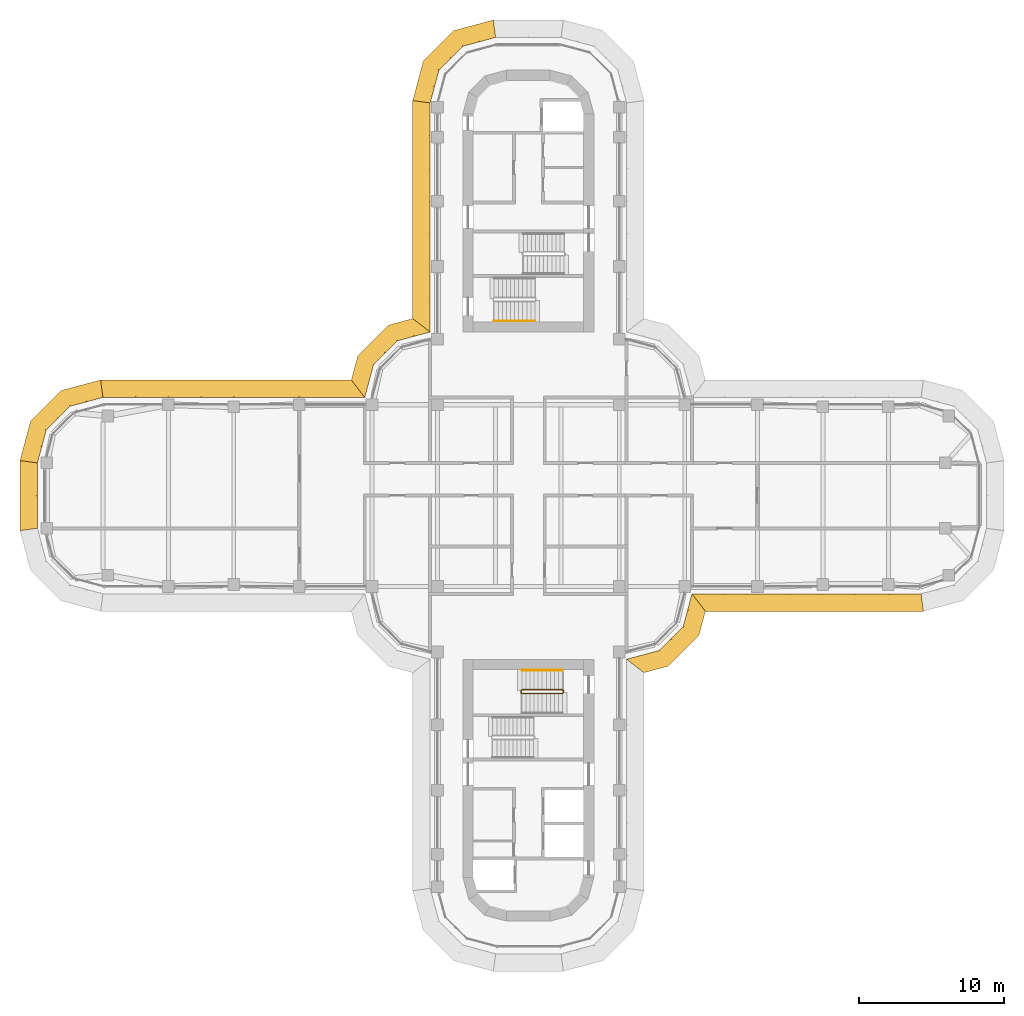
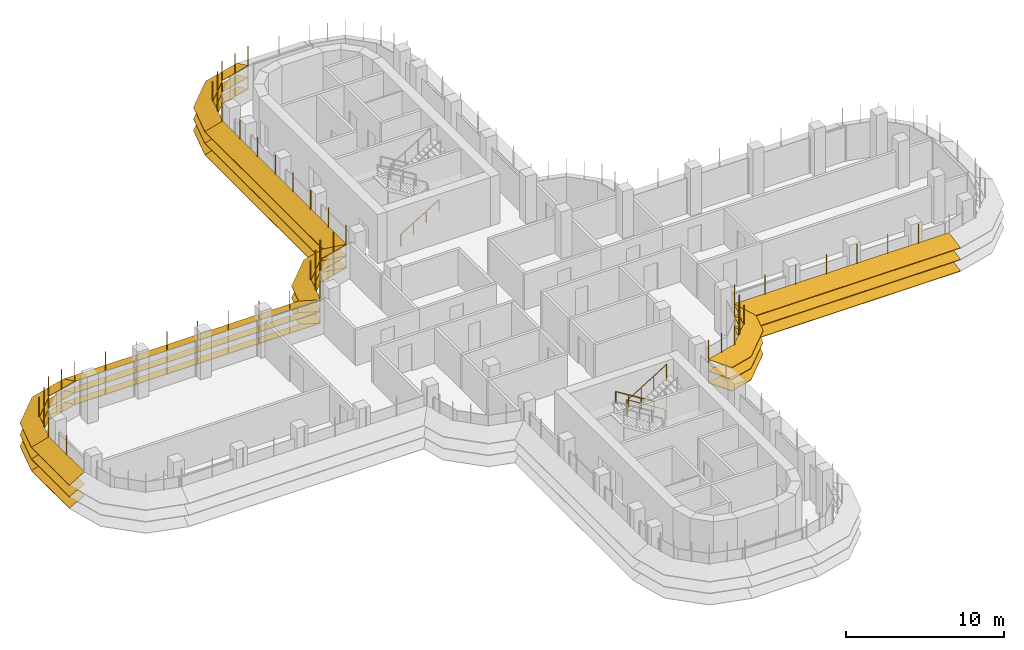
# One storey, part 17 of 19: 8 shading devices, 3 railings.
"""IFC4 building model written with IfcOpenShell, lengths in metres."""

from ifc_helpers import new_model, si_unit, direction, frame, origin, origin_2d, place, context, subcontext, project, spatial, polyline, circle, outline, extrude, faceted_brep, source, transform, mapped, material, type_object, element, save


model = new_model("IFC4")

# Units and contexts
model_context = context("Model", 3, precision=1e-05, world=origin(), true_north=direction((0.0, 1.0)))
body_context = subcontext(model_context, "Body", "Model", "MODEL_VIEW")
ifc_project = project(units=[si_unit("LENGTHUNIT", "METRE"), si_unit("AREAUNIT", "SQUARE_METRE"), si_unit("VOLUMEUNIT", "CUBIC_METRE"), si_unit("PLANEANGLEUNIT", "RADIAN"), si_unit("MASSUNIT", "GRAM", prefix="KILO")], contexts=[model_context])

# Site, building, storey
site_placement = place(None, origin())
site = spatial("IfcSite", under=ifc_project, at=site_placement, CompositionType="ELEMENT")
building_placement = place(site_placement, origin())
building = spatial("IfcBuilding", under=site, at=building_placement, Name="Zarbagh Exchange Tower", CompositionType="ELEMENT")
storey_placement = place(building_placement, frame((0.0, 0.0, 182.800048828125)))
storey = spatial("IfcBuildingStorey", under=building, at=storey_placement, Name="L44", CompositionType="ELEMENT", Elevation=182.800048828125)

# Railings
ifc_material_1 = material(Name="Stainless steel", Category="steel")
railing_type_1 = type_object("IfcRailingType", Name="Stair guard 1100 mm", PredefinedType="GUARDRAIL", material=ifc_material_1)
railing_1_placement = place(storey_placement, frame((-0.5, -13.39990234375, 1.89990234375)))
element("IfcRailing", 1, at=railing_1_placement, inside=storey, type_object=railing_type_1, Name="ST4 stair guard 1", PredefinedType="GUARDRAIL", context=body_context, shape_type="SweptSolid", body=[
    extrude(circle(Radius=0.02392578125, at=origin_2d()), frame((0.0, 0.0, 1.076171875), z_axis=(0.0, -1.0, 0.0), x_axis=(1.0, 0.0, 0.0)), (0.0, 0.0, 1.0), 0.150146484375),
    extrude(circle(Radius=0.02392578125, at=origin_2d()), frame((0.0, -0.150146484375, 1.076171875), z_axis=(0.267953482034, -0.267953482034, 0.925419830635), x_axis=(0.707106781187, 0.707106781187, 0.0)), (0.0, 0.0, 1.0), 0.186767578125),
    extrude(circle(Radius=0.02392578125, at=origin_2d()), frame((0.050048828125, -0.2001953125, 1.2490234375), z_axis=(0.851089632645, 0.0, 0.525020415988), x_axis=(0.0, 1.0, 0.0)), (0.0, 0.0, 1.0), 3.2900390625),
    extrude(circle(Radius=0.02392578125, at=origin_2d()), frame((2.85009765625, -0.2001953125, 2.97607421875), z_axis=(0.013104066473, 0.013168302093, -0.99982742474), x_axis=(-0.708833529934, 0.705375805398, 0.0)), (0.0, 0.0, 1.0), 3.80078125),
    extrude(circle(Radius=0.02392578125, at=origin_2d()), frame((2.89990234375, -0.150146484375, -0.82373046875), z_axis=(0.0, 1.0, 0.0), x_axis=(-1.0, 0.0, 0.0)), (0.0, 0.0, 1.0), 0.150146484375),
    extrude(circle(Radius=0.02392578125, at=origin_2d()), frame((2.89990234375, 0.0, -0.82373046875), z_axis=(-0.26715648603, 0.26715648603, 0.925880566782), x_axis=(-0.707106781187, -0.707106781187, 0.0)), (0.0, 0.0, 1.0), 0.1865234375),
    extrude(circle(Radius=0.02392578125, at=origin_2d()), frame((2.85009765625, 0.0498046875, -0.6513671875), z_axis=(-0.851089632645, 0.0, 0.525020415988), x_axis=(0.0, -1.0, 0.0)), (0.0, 0.0, 1.0), 3.2900390625),
    extrude(circle(Radius=0.02099609375, at=origin_2d()), origin(), (0.0, 0.0, 1.0), 1.052001953125),
    extrude(circle(Radius=0.02099609375, at=origin_2d()), frame((0.0, -0.150146484375, 0.0)), (0.0, 0.0, 1.0), 1.052001953125),
    extrude(circle(Radius=0.02099609375, at=origin_2d()), frame((0.050048828125, -0.2001953125, 0.1728515625)), (0.0, 0.0, 1.0), 1.052001953125),
    extrude(circle(Radius=0.02099609375, at=origin_2d()), frame((0.9833984375, -0.2001953125, 0.74853515625)), (0.0, 0.0, 1.0), 1.052001953125),
    extrude(circle(Radius=0.02099609375, at=origin_2d()), frame((1.916748046875, -0.2001953125, 1.324462890625)), (0.0, 0.0, 1.0), 1.052001953125),
    extrude(circle(Radius=0.02099609375, at=origin_2d()), frame((2.85009765625, -0.2001953125, 1.900146484375)), (0.0, 0.0, 1.0), 1.052001953125),
    extrude(circle(Radius=0.02099609375, at=origin_2d()), frame((2.862548828125, -0.187744140625, 0.9501953125)), (0.0, 0.0, 1.0), 1.052001953125),
    extrude(circle(Radius=0.02099609375, at=origin_2d()), frame((2.875, -0.17529296875, 0.0)), (0.0, 0.0, 1.0), 1.052001953125),
    extrude(circle(Radius=0.02099609375, at=origin_2d()), frame((2.887451171875, -0.16259765625, -0.949951171875)), (0.0, 0.0, 1.0), 1.052001953125),
    extrude(circle(Radius=0.02099609375, at=origin_2d()), frame((2.89990234375, -0.150146484375, -1.89990234375)), (0.0, 0.0, 1.0), 1.052001953125),
    extrude(circle(Radius=0.02099609375, at=origin_2d()), frame((2.89990234375, 0.0, -1.89990234375)), (0.0, 0.0, 1.0), 1.052001953125),
    extrude(circle(Radius=0.02099609375, at=origin_2d()), frame((2.85009765625, 0.0498046875, -1.727294921875)), (0.0, 0.0, 1.0), 1.052001953125),
    extrude(circle(Radius=0.02099609375, at=origin_2d()), frame((1.916748046875, 0.0498046875, -1.151611328125)), (0.0, 0.0, 1.0), 1.052001953125),
    extrude(circle(Radius=0.02099609375, at=origin_2d()), frame((0.9833984375, 0.0498046875, -0.57568359375)), (0.0, 0.0, 1.0), 1.052001953125),
    extrude(circle(Radius=0.02099609375, at=origin_2d()), frame((0.050048828125, 0.0498046875, 0.0)), (0.0, 0.0, 1.0), 1.052001953125),
])
railing_type_2 = type_object("IfcRailingType", Name="Stair handrail 900 mm", PredefinedType="HANDRAIL", material=ifc_material_1)
railing_2_placement = place(storey_placement, frame((-2.35009765625, 12.0, 0.172607421875)))
element("IfcRailing", 2, at=railing_2_placement, inside=storey, type_object=railing_type_2, Name="ST2 stair handrail 1", PredefinedType="HANDRAIL", context=body_context, shape_type="SweptSolid", body=[
    extrude(circle(Radius=0.02392578125, at=origin_2d()), frame((0.0, 0.0, 0.8759765625), z_axis=(0.851089632645, 0.0, 0.525020415988), x_axis=(0.0, 1.0, 0.0)), (0.0, 0.0, 1.0), 3.2900390625),
    extrude(circle(Radius=0.02099609375, at=origin_2d()), origin(), (0.0, 0.0, 1.0), 0.851806640625),
    extrude(circle(Radius=0.02099609375, at=origin_2d()), frame((0.933349609375, 0.0, 0.57568359375)), (0.0, 0.0, 1.0), 0.851806640625),
    extrude(circle(Radius=0.02099609375, at=origin_2d()), frame((1.86669921875, 0.0, 1.151611328125)), (0.0, 0.0, 1.0), 0.851806640625),
    extrude(circle(Radius=0.02099609375, at=origin_2d()), frame((2.800048828125, 0.0, 1.727294921875)), (0.0, 0.0, 1.0), 0.851806640625),
])
railing_3_placement = place(storey_placement, frame((2.35009765625, -12.0, 0.172607421875)))
element("IfcRailing", 3, at=railing_3_placement, inside=storey, type_object=railing_type_2, Name="ST4 stair handrail 1", PredefinedType="HANDRAIL", context=body_context, shape_type="SweptSolid", body=[
    extrude(circle(Radius=0.02392578125, at=origin_2d()), frame((0.0, 0.0, 0.8759765625), z_axis=(-0.851089632645, 0.0, 0.525020415988), x_axis=(0.0, -1.0, 0.0)), (0.0, 0.0, 1.0), 3.2900390625),
    extrude(circle(Radius=0.02099609375, at=origin_2d()), origin(), (0.0, 0.0, 1.0), 0.851806640625),
    extrude(circle(Radius=0.02099609375, at=origin_2d()), frame((-0.933349609375, 0.0, 0.57568359375)), (0.0, 0.0, 1.0), 0.851806640625),
    extrude(circle(Radius=0.02099609375, at=origin_2d()), frame((-1.86669921875, 0.0, 1.151611328125)), (0.0, 0.0, 1.0), 0.851806640625),
    extrude(circle(Radius=0.02099609375, at=origin_2d()), frame((-2.800048828125, 0.0, 1.727294921875)), (0.0, 0.0, 1.0), 0.851806640625),
])

# Shading devices
ifc_material_2 = material(Name="Anodised aluminium blades and brackets", Category="aluminium")
shading_device_type = type_object("IfcShadingDeviceType", Name="SUNSHADE louvre band, 22.5 degree blades", PredefinedType="JALOUSIE", material=ifc_material_2)
shared_shape_1 = source(origin(), body_context, "Body", "Brep", [
    faceted_brep([(0.0, 0.0, 0.0), (0.0, 0.0, -0.043212890625), (-0.157958984375, -1.199951171875, -0.540283203125), (-0.157958984375, -1.199951171875, -0.4970703125), (2.65087890625, -1.199951171875, -0.4970703125), (2.65087890625, -1.199951171875, -0.540283203125), (2.329345703125, 0.0, -0.043212890625), (2.329345703125, 0.0, 0.0)], [[[0, 1, 2, 3]], [[4, 5, 6, 7]], [[0, 7, 6, 1]], [[1, 6, 5, 2]], [[2, 5, 4, 3]], [[3, 4, 7, 0]]]),
])
shared_shape_2 = source(origin(), body_context, "Body", "Brep", [
    faceted_brep([(0.0, 0.0, 0.0), (0.0, 0.0, -0.043212890625), (-0.321533203125, -1.199951171875, -0.540283203125), (-0.321533203125, -1.199951171875, -0.4970703125), (2.65087890625, -1.199951171875, -0.4970703125), (2.65087890625, -1.199951171875, -0.540283203125), (2.329345703125, 0.0, -0.043212890625), (2.329345703125, 0.0, 0.0)], [[[0, 1, 2, 3]], [[4, 5, 6, 7]], [[0, 7, 6, 1]], [[1, 6, 5, 2]], [[2, 5, 4, 3]], [[3, 4, 7, 0]]]),
])
shared_shape_3 = source(origin(), body_context, "Body", "Brep", [
    faceted_brep([(0.0, 0.0, 0.0), (0.0, 0.0, -0.043212890625), (-0.321533203125, -1.199951171875, -0.540283203125), (-0.321533203125, -1.199951171875, -0.4970703125), (2.4873046875, -1.199951171875, -0.4970703125), (2.4873046875, -1.199951171875, -0.540283203125), (2.329345703125, 0.0, -0.043212890625), (2.329345703125, 0.0, 0.0)], [[[0, 1, 2, 3]], [[4, 5, 6, 7]], [[0, 7, 6, 1]], [[1, 6, 5, 2]], [[2, 5, 4, 3]], [[3, 4, 7, 0]]]),
])
shared_shape_4 = source(origin(), body_context, "Body", "SweptSolid", [
    extrude(outline(polyline([(0.0, -0.012451171875), (0.06005859375, -0.012451171875), (0.06005859375, 0.012451171875), (0.0, 0.012451171875), (0.0, -0.012451171875)])), origin(), (0.0, 0.0, 1.0), 3.353271484375),
])
placement = place(storey_placement, origin())
element("IfcShadingDevice", 4, at=placement, inside=storey, type_object=shading_device_type, Name="SS28 sunshade band", PredefinedType="JALOUSIE", context=body_context, shape_type="MappedRepresentation", body=[
    mapped(shared_shape_1, transform((-2.25, 31.5, 2.300048828125), x_axis=(-0.965924289636, -0.258824779902, 0.0), y_axis=(0.258824779902, -0.965924289636, 0.0), z_axis=(0.0, 0.0, 1.0))),
    mapped(shared_shape_1, transform((-2.25, 31.5, 1.39990234375), x_axis=(-0.965924289636, -0.258824779902, 0.0), y_axis=(0.258824779902, -0.965924289636, 0.0), z_axis=(0.0, 0.0, 1.0))),
    mapped(shared_shape_1, transform((-2.25, 31.5, 0.5), x_axis=(-0.965924289636, -0.258824779902, 0.0), y_axis=(0.258824779902, -0.965924289636, 0.0), z_axis=(0.0, 0.0, 1.0))),
    mapped(shared_shape_2, transform((-4.5, 30.897216796875, 2.300048828125), x_axis=(-0.707106781187, -0.707106781187, 0.0), y_axis=(0.707106781187, -0.707106781187, 0.0), z_axis=(0.0, 0.0, 1.0))),
    mapped(shared_shape_2, transform((-4.5, 30.897216796875, 1.39990234375), x_axis=(-0.707106781187, -0.707106781187, 0.0), y_axis=(0.707106781187, -0.707106781187, 0.0), z_axis=(0.0, 0.0, 1.0))),
    mapped(shared_shape_2, transform((-4.5, 30.897216796875, 0.5), x_axis=(-0.707106781187, -0.707106781187, 0.0), y_axis=(0.707106781187, -0.707106781187, 0.0), z_axis=(0.0, 0.0, 1.0))),
    mapped(shared_shape_3, transform((-6.147216796875, 29.25, 2.300048828125), x_axis=(-0.258824779902, -0.965924289636, 0.0), y_axis=(0.965924289636, -0.258824779902, 0.0), z_axis=(0.0, 0.0, 1.0))),
    mapped(shared_shape_3, transform((-6.147216796875, 29.25, 1.39990234375), x_axis=(-0.258824779902, -0.965924289636, 0.0), y_axis=(0.965924289636, -0.258824779902, 0.0), z_axis=(0.0, 0.0, 1.0))),
    mapped(shared_shape_3, transform((-6.147216796875, 29.25, 0.5), x_axis=(-0.258824779902, -0.965924289636, 0.0), y_axis=(0.965924289636, -0.258824779902, 0.0), z_axis=(0.0, 0.0, 1.0))),
    mapped(shared_shape_4, transform((-2.25, 31.5, 0.4267578125), x_axis=(-0.130529263012, 0.991444457092, 0.0), y_axis=(-0.991444457092, -0.130529263012, 0.0), z_axis=(0.0, 0.0, 1.0))),
    mapped(shared_shape_4, transform((-3.375, 31.198486328125, 0.4267578125), x_axis=(-0.258825058029, 0.96592421511, 0.0), y_axis=(-0.96592421511, -0.258825058029, 0.0), z_axis=(0.0, 0.0, 1.0))),
    mapped(shared_shape_4, transform((-4.5, 30.897216796875, 0.4267578125), x_axis=(-0.50000275701, 0.866023812018, 0.0), y_axis=(-0.866023812018, -0.50000275701, 0.0), z_axis=(0.0, 0.0, 1.0))),
    mapped(shared_shape_4, transform((-5.323486328125, 30.073486328125, 0.4267578125), x_axis=(-0.707106781187, 0.707106781187, 0.0), y_axis=(-0.707106781187, -0.707106781187, 0.0), z_axis=(0.0, 0.0, 1.0))),
    mapped(shared_shape_4, transform((-6.147216796875, 29.25, 0.4267578125), x_axis=(-0.866023812018, 0.50000275701, 0.0), y_axis=(-0.50000275701, -0.866023812018, 0.0), z_axis=(0.0, 0.0, 1.0))),
    mapped(shared_shape_4, transform((-6.448486328125, 28.125, 0.4267578125), x_axis=(-0.96592421511, 0.258825058029, 0.0), y_axis=(-0.258825058029, -0.96592421511, 0.0), z_axis=(0.0, 0.0, 1.0))),
])
element("IfcShadingDevice", 5, at=placement, inside=storey, type_object=shading_device_type, Name="SS17 sunshade band", PredefinedType="JALOUSIE", context=body_context, shape_type="MappedRepresentation", body=[
    mapped(shared_shape_1, transform((-29.25, 6.75, 2.300048828125), x_axis=(-0.965924289636, -0.258824779902, 0.0), y_axis=(0.258824779902, -0.965924289636, 0.0), z_axis=(0.0, 0.0, 1.0))),
    mapped(shared_shape_1, transform((-29.25, 6.75, 1.39990234375), x_axis=(-0.965924289636, -0.258824779902, 0.0), y_axis=(0.258824779902, -0.965924289636, 0.0), z_axis=(0.0, 0.0, 1.0))),
    mapped(shared_shape_1, transform((-29.25, 6.75, 0.5), x_axis=(-0.965924289636, -0.258824779902, 0.0), y_axis=(0.258824779902, -0.965924289636, 0.0), z_axis=(0.0, 0.0, 1.0))),
    mapped(shared_shape_2, transform((-31.5, 6.147216796875, 2.300048828125), x_axis=(-0.707106781187, -0.707106781187, 0.0), y_axis=(0.707106781187, -0.707106781187, 0.0), z_axis=(0.0, 0.0, 1.0))),
    mapped(shared_shape_2, transform((-31.5, 6.147216796875, 1.39990234375), x_axis=(-0.707106781187, -0.707106781187, 0.0), y_axis=(0.707106781187, -0.707106781187, 0.0), z_axis=(0.0, 0.0, 1.0))),
    mapped(shared_shape_2, transform((-31.5, 6.147216796875, 0.5), x_axis=(-0.707106781187, -0.707106781187, 0.0), y_axis=(0.707106781187, -0.707106781187, 0.0), z_axis=(0.0, 0.0, 1.0))),
    mapped(shared_shape_3, transform((-33.147216796875, 4.5, 2.300048828125), x_axis=(-0.258824779902, -0.965924289636, 0.0), y_axis=(0.965924289636, -0.258824779902, 0.0), z_axis=(0.0, 0.0, 1.0))),
    mapped(shared_shape_3, transform((-33.147216796875, 4.5, 1.39990234375), x_axis=(-0.258824779902, -0.965924289636, 0.0), y_axis=(0.965924289636, -0.258824779902, 0.0), z_axis=(0.0, 0.0, 1.0))),
    mapped(shared_shape_3, transform((-33.147216796875, 4.5, 0.5), x_axis=(-0.258824779902, -0.965924289636, 0.0), y_axis=(0.965924289636, -0.258824779902, 0.0), z_axis=(0.0, 0.0, 1.0))),
    mapped(shared_shape_4, transform((-29.25, 6.75, 0.4267578125), x_axis=(-0.130529263012, 0.991444457092, 0.0), y_axis=(-0.991444457092, -0.130529263012, 0.0), z_axis=(0.0, 0.0, 1.0))),
    mapped(shared_shape_4, transform((-30.375, 6.448486328125, 0.4267578125), x_axis=(-0.258825058029, 0.96592421511, 0.0), y_axis=(-0.96592421511, -0.258825058029, 0.0), z_axis=(0.0, 0.0, 1.0))),
    mapped(shared_shape_4, transform((-31.5, 6.147216796875, 0.4267578125), x_axis=(-0.50000275701, 0.866023812018, 0.0), y_axis=(-0.866023812018, -0.50000275701, 0.0), z_axis=(0.0, 0.0, 1.0))),
    mapped(shared_shape_4, transform((-32.323486328125, 5.323486328125, 0.4267578125), x_axis=(-0.707106781187, 0.707106781187, 0.0), y_axis=(-0.707106781187, -0.707106781187, 0.0), z_axis=(0.0, 0.0, 1.0))),
    mapped(shared_shape_4, transform((-33.147216796875, 4.5, 0.4267578125), x_axis=(-0.866023812018, 0.50000275701, 0.0), y_axis=(-0.50000275701, -0.866023812018, 0.0), z_axis=(0.0, 0.0, 1.0))),
    mapped(shared_shape_4, transform((-33.448486328125, 3.375, 0.4267578125), x_axis=(-0.96592421511, 0.258825058029, 0.0), y_axis=(-0.258825058029, -0.96592421511, 0.0), z_axis=(0.0, 0.0, 1.0))),
])
shared_shape_5 = source(origin(), body_context, "Body", "Brep", [
    faceted_brep([(0.0, 0.0, 0.0), (0.0, 0.0, -0.043212890625), (0.9208984375, -1.199951171875, -0.540283203125), (0.9208984375, -1.199951171875, -0.4970703125), (2.65087890625, -1.199951171875, -0.4970703125), (2.65087890625, -1.199951171875, -0.540283203125), (2.329345703125, 0.0, -0.043212890625), (2.329345703125, 0.0, 0.0)], [[[0, 1, 2, 3]], [[4, 5, 6, 7]], [[0, 7, 6, 1]], [[1, 6, 5, 2]], [[2, 5, 4, 3]], [[3, 4, 7, 0]]]),
])
shared_shape_6 = source(origin(), body_context, "Body", "Brep", [
    faceted_brep([(0.0, 0.0, 0.0), (0.0, 0.0, -0.043212890625), (-0.321533203125, -1.199951171875, -0.540283203125), (-0.321533203125, -1.199951171875, -0.4970703125), (1.40869140625, -1.199951171875, -0.4970703125), (1.40869140625, -1.199951171875, -0.540283203125), (2.329345703125, 0.0, -0.043212890625), (2.329345703125, 0.0, 0.0)], [[[0, 1, 2, 3]], [[4, 5, 6, 7]], [[0, 7, 6, 1]], [[1, 6, 5, 2]], [[2, 5, 4, 3]], [[3, 4, 7, 0]]]),
])
element("IfcShadingDevice", 6, at=placement, inside=storey, type_object=shading_device_type, Name="SS03 sunshade band", PredefinedType="JALOUSIE", context=body_context, shape_type="MappedRepresentation", body=[
    mapped(shared_shape_5, transform((6.75, -11.25, 2.300048828125), x_axis=(0.965924289636, 0.258824779902, 0.0), y_axis=(-0.258824779902, 0.965924289636, 0.0), z_axis=(0.0, 0.0, 1.0))),
    mapped(shared_shape_5, transform((6.75, -11.25, 1.39990234375), x_axis=(0.965924289636, 0.258824779902, 0.0), y_axis=(-0.258824779902, 0.965924289636, 0.0), z_axis=(0.0, 0.0, 1.0))),
    mapped(shared_shape_5, transform((6.75, -11.25, 0.5), x_axis=(0.965924289636, 0.258824779902, 0.0), y_axis=(-0.258824779902, 0.965924289636, 0.0), z_axis=(0.0, 0.0, 1.0))),
    mapped(shared_shape_2, transform((9.0, -10.647216796875, 2.300048828125), x_axis=(0.707106781187, 0.707106781187, 0.0), y_axis=(-0.707106781187, 0.707106781187, 0.0), z_axis=(0.0, 0.0, 1.0))),
    mapped(shared_shape_2, transform((9.0, -10.647216796875, 1.39990234375), x_axis=(0.707106781187, 0.707106781187, 0.0), y_axis=(-0.707106781187, 0.707106781187, 0.0), z_axis=(0.0, 0.0, 1.0))),
    mapped(shared_shape_2, transform((9.0, -10.647216796875, 0.5), x_axis=(0.707106781187, 0.707106781187, 0.0), y_axis=(-0.707106781187, 0.707106781187, 0.0), z_axis=(0.0, 0.0, 1.0))),
    mapped(shared_shape_6, transform((10.647216796875, -9.0, 2.300048828125), x_axis=(0.258824779902, 0.965924289636, 0.0), y_axis=(-0.965924289636, 0.258824779902, 0.0), z_axis=(0.0, 0.0, 1.0))),
    mapped(shared_shape_6, transform((10.647216796875, -9.0, 1.39990234375), x_axis=(0.258824779902, 0.965924289636, 0.0), y_axis=(-0.965924289636, 0.258824779902, 0.0), z_axis=(0.0, 0.0, 1.0))),
    mapped(shared_shape_6, transform((10.647216796875, -9.0, 0.5), x_axis=(0.258824779902, 0.965924289636, 0.0), y_axis=(-0.965924289636, 0.258824779902, 0.0), z_axis=(0.0, 0.0, 1.0))),
    mapped(shared_shape_4, transform((6.75, -11.25, 0.4267578125), x_axis=(0.793355287, -0.608758892, 0.0), y_axis=(0.608758892, 0.793355287, 0.0), z_axis=(0.0, 0.0, 1.0))),
    mapped(shared_shape_4, transform((7.875, -10.948486328125, 0.4267578125), x_axis=(0.258825058029, -0.96592421511, 0.0), y_axis=(0.96592421511, 0.258825058029, 0.0), z_axis=(0.0, 0.0, 1.0))),
    mapped(shared_shape_4, transform((9.0, -10.647216796875, 0.4267578125), x_axis=(0.50000275701, -0.866023812018, 0.0), y_axis=(0.866023812018, 0.50000275701, 0.0), z_axis=(0.0, 0.0, 1.0))),
    mapped(shared_shape_4, transform((9.823486328125, -9.823486328125, 0.4267578125), x_axis=(0.707106781187, -0.707106781187, 0.0), y_axis=(0.707106781187, 0.707106781187, 0.0), z_axis=(0.0, 0.0, 1.0))),
    mapped(shared_shape_4, transform((10.647216796875, -9.0, 0.4267578125), x_axis=(0.866023812018, -0.50000275701, 0.0), y_axis=(0.50000275701, 0.866023812018, 0.0), z_axis=(0.0, 0.0, 1.0))),
    mapped(shared_shape_4, transform((10.948486328125, -7.875, 0.4267578125), x_axis=(0.96592421511, -0.258825058029, 0.0), y_axis=(0.258825058029, 0.96592421511, 0.0), z_axis=(0.0, 0.0, 1.0))),
])
element("IfcShadingDevice", 7, at=placement, inside=storey, type_object=shading_device_type, Name="SS15 sunshade band", PredefinedType="JALOUSIE", context=body_context, shape_type="MappedRepresentation", body=[
    mapped(shared_shape_5, transform((-6.75, 11.25, 2.300048828125), x_axis=(-0.965924289636, -0.258824779902, 0.0), y_axis=(0.258824779902, -0.965924289636, 0.0), z_axis=(0.0, 0.0, 1.0))),
    mapped(shared_shape_5, transform((-6.75, 11.25, 1.39990234375), x_axis=(-0.965924289636, -0.258824779902, 0.0), y_axis=(0.258824779902, -0.965924289636, 0.0), z_axis=(0.0, 0.0, 1.0))),
    mapped(shared_shape_5, transform((-6.75, 11.25, 0.5), x_axis=(-0.965924289636, -0.258824779902, 0.0), y_axis=(0.258824779902, -0.965924289636, 0.0), z_axis=(0.0, 0.0, 1.0))),
    mapped(shared_shape_2, transform((-9.0, 10.647216796875, 2.300048828125), x_axis=(-0.707106781187, -0.707106781187, 0.0), y_axis=(0.707106781187, -0.707106781187, 0.0), z_axis=(0.0, 0.0, 1.0))),
    mapped(shared_shape_2, transform((-9.0, 10.647216796875, 1.39990234375), x_axis=(-0.707106781187, -0.707106781187, 0.0), y_axis=(0.707106781187, -0.707106781187, 0.0), z_axis=(0.0, 0.0, 1.0))),
    mapped(shared_shape_2, transform((-9.0, 10.647216796875, 0.5), x_axis=(-0.707106781187, -0.707106781187, 0.0), y_axis=(0.707106781187, -0.707106781187, 0.0), z_axis=(0.0, 0.0, 1.0))),
    mapped(shared_shape_6, transform((-10.647216796875, 9.0, 2.300048828125), x_axis=(-0.258824779902, -0.965924289636, 0.0), y_axis=(0.965924289636, -0.258824779902, 0.0), z_axis=(0.0, 0.0, 1.0))),
    mapped(shared_shape_6, transform((-10.647216796875, 9.0, 1.39990234375), x_axis=(-0.258824779902, -0.965924289636, 0.0), y_axis=(0.965924289636, -0.258824779902, 0.0), z_axis=(0.0, 0.0, 1.0))),
    mapped(shared_shape_6, transform((-10.647216796875, 9.0, 0.5), x_axis=(-0.258824779902, -0.965924289636, 0.0), y_axis=(0.965924289636, -0.258824779902, 0.0), z_axis=(0.0, 0.0, 1.0))),
    mapped(shared_shape_4, transform((-6.75, 11.25, 0.4267578125), x_axis=(-0.793355287, 0.608758892, 0.0), y_axis=(-0.608758892, -0.793355287, 0.0), z_axis=(0.0, 0.0, 1.0))),
    mapped(shared_shape_4, transform((-7.875, 10.948486328125, 0.4267578125), x_axis=(-0.258825058029, 0.96592421511, 0.0), y_axis=(-0.96592421511, -0.258825058029, 0.0), z_axis=(0.0, 0.0, 1.0))),
    mapped(shared_shape_4, transform((-9.0, 10.647216796875, 0.4267578125), x_axis=(-0.50000275701, 0.866023812018, 0.0), y_axis=(-0.866023812018, -0.50000275701, 0.0), z_axis=(0.0, 0.0, 1.0))),
    mapped(shared_shape_4, transform((-9.823486328125, 9.823486328125, 0.4267578125), x_axis=(-0.707106781187, 0.707106781187, 0.0), y_axis=(-0.707106781187, -0.707106781187, 0.0), z_axis=(0.0, 0.0, 1.0))),
    mapped(shared_shape_4, transform((-10.647216796875, 9.0, 0.4267578125), x_axis=(-0.866023812018, 0.50000275701, 0.0), y_axis=(-0.50000275701, -0.866023812018, 0.0), z_axis=(0.0, 0.0, 1.0))),
    mapped(shared_shape_4, transform((-10.948486328125, 7.875, 0.4267578125), x_axis=(-0.96592421511, 0.258825058029, 0.0), y_axis=(-0.258825058029, -0.96592421511, 0.0), z_axis=(0.0, 0.0, 1.0))),
])
shared_shape_7 = source(origin(), body_context, "Body", "Brep", [
    faceted_brep([(0.0, 0.0, 0.0), (0.0, 0.0, -0.043212890625), (0.9208984375, -1.199951171875, -0.540283203125), (0.9208984375, -1.199951171875, -0.4970703125), (15.907958984375, -1.199951171875, -0.4970703125), (15.907958984375, -1.199951171875, -0.540283203125), (15.75, 0.0, -0.043212890625), (15.75, 0.0, 0.0)], [[[0, 1, 2, 3]], [[4, 5, 6, 7]], [[0, 7, 6, 1]], [[1, 6, 5, 2]], [[2, 5, 4, 3]], [[3, 4, 7, 0]]]),
])
element("IfcShadingDevice", 8, at=placement, inside=storey, type_object=shading_device_type, Name="SS30 sunshade band", PredefinedType="JALOUSIE", context=body_context, shape_type="MappedRepresentation", body=[
    mapped(shared_shape_7, transform((11.25, -6.75, 2.300048828125), x_axis=(1.0, 0.0, 0.0), y_axis=(0.0, 1.0, 0.0), z_axis=(0.0, 0.0, 1.0))),
    mapped(shared_shape_7, transform((11.25, -6.75, 1.39990234375), x_axis=(1.0, 0.0, 0.0), y_axis=(0.0, 1.0, 0.0), z_axis=(0.0, 0.0, 1.0))),
    mapped(shared_shape_7, transform((11.25, -6.75, 0.5), x_axis=(1.0, 0.0, 0.0), y_axis=(0.0, 1.0, 0.0), z_axis=(0.0, 0.0, 1.0))),
    mapped(shared_shape_4, transform((11.25, -6.75, 0.4267578125), x_axis=(0.608758892, -0.793355287, 0.0), y_axis=(0.793355287, 0.608758892, 0.0), z_axis=(0.0, 0.0, 1.0))),
    mapped(shared_shape_4, transform((13.5, -6.75, 0.4267578125), x_axis=(0.0, -1.0, 0.0), y_axis=(1.0, 0.0, 0.0), z_axis=(0.0, 0.0, 1.0))),
    mapped(shared_shape_4, transform((15.75, -6.75, 0.4267578125), x_axis=(0.0, -1.0, 0.0), y_axis=(1.0, 0.0, 0.0), z_axis=(0.0, 0.0, 1.0))),
    mapped(shared_shape_4, transform((18.0, -6.75, 0.4267578125), x_axis=(0.0, -1.0, 0.0), y_axis=(1.0, 0.0, 0.0), z_axis=(0.0, 0.0, 1.0))),
    mapped(shared_shape_4, transform((20.25, -6.75, 0.4267578125), x_axis=(0.0, -1.0, 0.0), y_axis=(1.0, 0.0, 0.0), z_axis=(0.0, 0.0, 1.0))),
    mapped(shared_shape_4, transform((22.5, -6.75, 0.4267578125), x_axis=(0.0, -1.0, 0.0), y_axis=(1.0, 0.0, 0.0), z_axis=(0.0, 0.0, 1.0))),
    mapped(shared_shape_4, transform((24.75, -6.75, 0.4267578125), x_axis=(0.0, -1.0, 0.0), y_axis=(1.0, 0.0, 0.0), z_axis=(0.0, 0.0, 1.0))),
])
shared_shape_8 = source(origin(), body_context, "Body", "Brep", [
    faceted_brep([(0.0, 0.0, 0.0), (0.0, 0.0, -0.043212890625), (-0.157958984375, -1.199951171875, -0.540283203125), (-0.157958984375, -1.199951171875, -0.4970703125), (14.8291015625, -1.199951171875, -0.4970703125), (14.8291015625, -1.199951171875, -0.540283203125), (15.75, 0.0, -0.043212890625), (15.75, 0.0, 0.0)], [[[0, 1, 2, 3]], [[4, 5, 6, 7]], [[0, 7, 6, 1]], [[1, 6, 5, 2]], [[2, 5, 4, 3]], [[3, 4, 7, 0]]]),
])
element("IfcShadingDevice", 9, at=placement, inside=storey, type_object=shading_device_type, Name="SS29 sunshade band", PredefinedType="JALOUSIE", context=body_context, shape_type="MappedRepresentation", body=[
    mapped(shared_shape_8, transform((-6.75, 27.0, 2.300048828125), x_axis=(0.0, -1.0, 0.0), y_axis=(1.0, 0.0, 0.0), z_axis=(0.0, 0.0, 1.0))),
    mapped(shared_shape_8, transform((-6.75, 27.0, 1.39990234375), x_axis=(0.0, -1.0, 0.0), y_axis=(1.0, 0.0, 0.0), z_axis=(0.0, 0.0, 1.0))),
    mapped(shared_shape_8, transform((-6.75, 27.0, 0.5), x_axis=(0.0, -1.0, 0.0), y_axis=(1.0, 0.0, 0.0), z_axis=(0.0, 0.0, 1.0))),
    mapped(shared_shape_4, transform((-6.75, 27.0, 0.4267578125), x_axis=(-0.991444457092, 0.130529263012, 0.0), y_axis=(-0.130529263012, -0.991444457092, 0.0), z_axis=(0.0, 0.0, 1.0))),
    mapped(shared_shape_4, transform((-6.75, 24.75, 0.4267578125), x_axis=(-1.0, 0.0, 0.0), y_axis=(0.0, -1.0, 0.0), z_axis=(0.0, 0.0, 1.0))),
    mapped(shared_shape_4, transform((-6.75, 22.5, 0.4267578125), x_axis=(-1.0, 0.0, 0.0), y_axis=(0.0, -1.0, 0.0), z_axis=(0.0, 0.0, 1.0))),
    mapped(shared_shape_4, transform((-6.75, 20.25, 0.4267578125), x_axis=(-1.0, 0.0, 0.0), y_axis=(0.0, -1.0, 0.0), z_axis=(0.0, 0.0, 1.0))),
    mapped(shared_shape_4, transform((-6.75, 18.0, 0.4267578125), x_axis=(-1.0, 0.0, 0.0), y_axis=(0.0, -1.0, 0.0), z_axis=(0.0, 0.0, 1.0))),
    mapped(shared_shape_4, transform((-6.75, 15.75, 0.4267578125), x_axis=(-1.0, 0.0, 0.0), y_axis=(0.0, -1.0, 0.0), z_axis=(0.0, 0.0, 1.0))),
    mapped(shared_shape_4, transform((-6.75, 13.5, 0.4267578125), x_axis=(-1.0, 0.0, 0.0), y_axis=(0.0, -1.0, 0.0), z_axis=(0.0, 0.0, 1.0))),
])
shared_shape_9 = source(origin(), body_context, "Body", "Brep", [
    faceted_brep([(0.0, 0.0, 0.0), (0.0, 0.0, -0.043212890625), (0.9208984375, -1.199951171875, -0.540283203125), (0.9208984375, -1.199951171875, -0.4970703125), (18.157958984375, -1.199951171875, -0.4970703125), (18.157958984375, -1.199951171875, -0.540283203125), (18.0, 0.0, -0.043212890625), (18.0, 0.0, 0.0)], [[[0, 1, 2, 3]], [[4, 5, 6, 7]], [[0, 7, 6, 1]], [[1, 6, 5, 2]], [[2, 5, 4, 3]], [[3, 4, 7, 0]]]),
])
element("IfcShadingDevice", 10, at=placement, inside=storey, type_object=shading_device_type, Name="SS16 sunshade band", PredefinedType="JALOUSIE", context=body_context, shape_type="MappedRepresentation", body=[
    mapped(shared_shape_9, transform((-11.25, 6.75, 2.300048828125), x_axis=(-1.0, 0.0, 0.0), y_axis=(0.0, -1.0, 0.0), z_axis=(0.0, 0.0, 1.0))),
    mapped(shared_shape_9, transform((-11.25, 6.75, 1.39990234375), x_axis=(-1.0, 0.0, 0.0), y_axis=(0.0, -1.0, 0.0), z_axis=(0.0, 0.0, 1.0))),
    mapped(shared_shape_9, transform((-11.25, 6.75, 0.5), x_axis=(-1.0, 0.0, 0.0), y_axis=(0.0, -1.0, 0.0), z_axis=(0.0, 0.0, 1.0))),
    mapped(shared_shape_4, transform((-11.25, 6.75, 0.4267578125), x_axis=(-0.608758892, 0.793355287, 0.0), y_axis=(-0.793355287, -0.608758892, 0.0), z_axis=(0.0, 0.0, 1.0))),
    mapped(shared_shape_4, transform((-13.5, 6.75, 0.4267578125), x_axis=(0.0, 1.0, 0.0), y_axis=(-1.0, 0.0, 0.0), z_axis=(0.0, 0.0, 1.0))),
    mapped(shared_shape_4, transform((-15.75, 6.75, 0.4267578125), x_axis=(0.0, 1.0, 0.0), y_axis=(-1.0, 0.0, 0.0), z_axis=(0.0, 0.0, 1.0))),
    mapped(shared_shape_4, transform((-18.0, 6.75, 0.4267578125), x_axis=(0.0, 1.0, 0.0), y_axis=(-1.0, 0.0, 0.0), z_axis=(0.0, 0.0, 1.0))),
    mapped(shared_shape_4, transform((-20.25, 6.75, 0.4267578125), x_axis=(0.0, 1.0, 0.0), y_axis=(-1.0, 0.0, 0.0), z_axis=(0.0, 0.0, 1.0))),
    mapped(shared_shape_4, transform((-22.5, 6.75, 0.4267578125), x_axis=(0.0, 1.0, 0.0), y_axis=(-1.0, 0.0, 0.0), z_axis=(0.0, 0.0, 1.0))),
    mapped(shared_shape_4, transform((-24.75, 6.75, 0.4267578125), x_axis=(0.0, 1.0, 0.0), y_axis=(-1.0, 0.0, 0.0), z_axis=(0.0, 0.0, 1.0))),
    mapped(shared_shape_4, transform((-27.0, 6.75, 0.4267578125), x_axis=(0.0, 1.0, 0.0), y_axis=(-1.0, 0.0, 0.0), z_axis=(0.0, 0.0, 1.0))),
])
shared_shape_10 = source(origin(), body_context, "Body", "Brep", [
    faceted_brep([(0.0, 0.0, 0.0), (0.0, 0.0, -0.043212890625), (-0.157958984375, -1.199951171875, -0.540283203125), (-0.157958984375, -1.199951171875, -0.4970703125), (4.657958984375, -1.199951171875, -0.4970703125), (4.657958984375, -1.199951171875, -0.540283203125), (4.5, 0.0, -0.043212890625), (4.5, 0.0, 0.0)], [[[0, 1, 2, 3]], [[4, 5, 6, 7]], [[0, 7, 6, 1]], [[1, 6, 5, 2]], [[2, 5, 4, 3]], [[3, 4, 7, 0]]]),
])
element("IfcShadingDevice", 11, at=placement, inside=storey, type_object=shading_device_type, Name="SS18 sunshade band", PredefinedType="JALOUSIE", context=body_context, shape_type="MappedRepresentation", body=[
    mapped(shared_shape_10, transform((-33.75, 2.25, 2.300048828125), x_axis=(0.0, -1.0, 0.0), y_axis=(1.0, 0.0, 0.0), z_axis=(0.0, 0.0, 1.0))),
    mapped(shared_shape_10, transform((-33.75, 2.25, 1.39990234375), x_axis=(0.0, -1.0, 0.0), y_axis=(1.0, 0.0, 0.0), z_axis=(0.0, 0.0, 1.0))),
    mapped(shared_shape_10, transform((-33.75, 2.25, 0.5), x_axis=(0.0, -1.0, 0.0), y_axis=(1.0, 0.0, 0.0), z_axis=(0.0, 0.0, 1.0))),
    mapped(shared_shape_4, transform((-33.75, 2.25, 0.4267578125), x_axis=(-0.991444457092, 0.130529263012, 0.0), y_axis=(-0.130529263012, -0.991444457092, 0.0), z_axis=(0.0, 0.0, 1.0))),
    mapped(shared_shape_4, transform((-33.75, 0.0, 0.4267578125), x_axis=(-1.0, 0.0, 0.0), y_axis=(0.0, -1.0, 0.0), z_axis=(0.0, 0.0, 1.0))),
])

save(model, "model.ifc")
